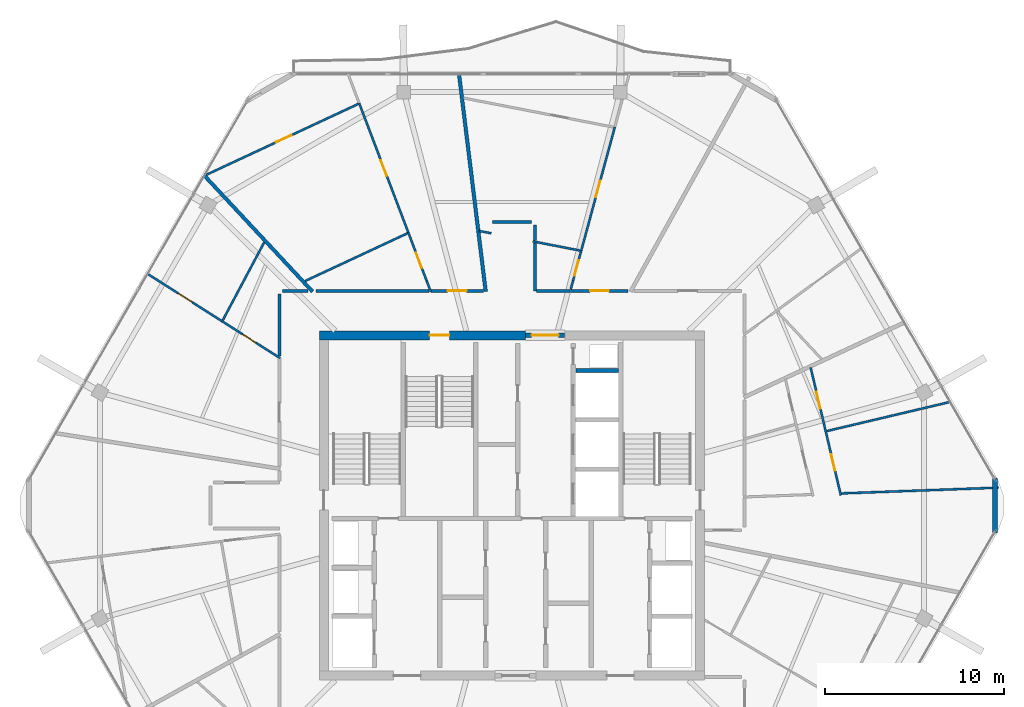
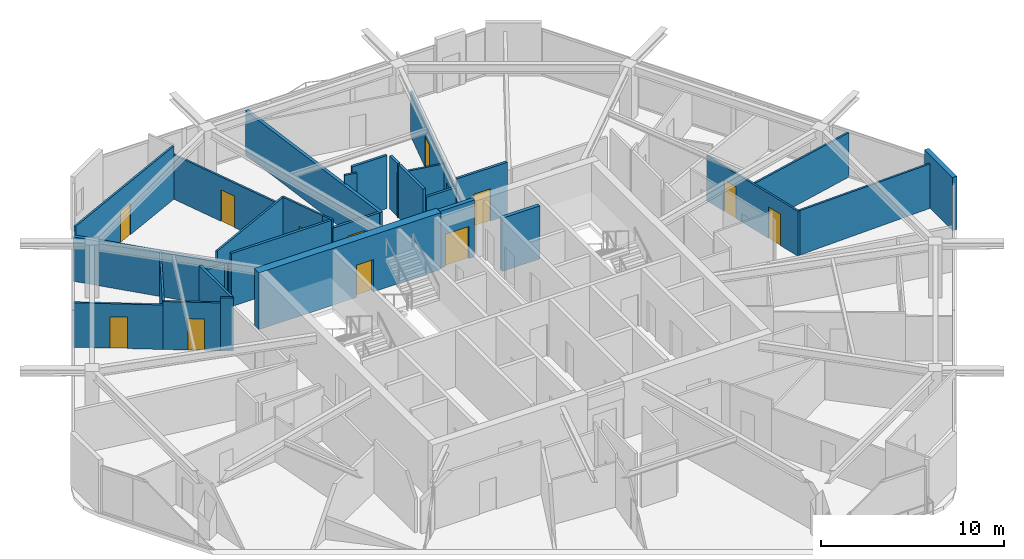
# One storey, part 18 of 21: 32 walls, 13 doors, 13 openings.
"""IFC4 building model written with IfcOpenShell, lengths in metres."""

from ifc_helpers import new_model, si_unit, direction, frame, frame_2d, origin, place, context, subcontext, project, spatial, rectangle, extrude, material, layer, layer_set, type_object, element, fill, save


model = new_model("IFC4")

# Units and contexts
model_context = context("Model", 3, precision=1e-05, world=origin(), true_north=direction((0.0, 1.0)))
body_context = subcontext(model_context, "Body", "Model", "MODEL_VIEW")
ifc_project = project(units=[si_unit("LENGTHUNIT", "METRE"), si_unit("AREAUNIT", "SQUARE_METRE"), si_unit("VOLUMEUNIT", "CUBIC_METRE"), si_unit("PLANEANGLEUNIT", "RADIAN"), si_unit("MASSUNIT", "GRAM", prefix="KILO")], contexts=[model_context])

# Site, building, storey
site_placement = place(None, origin())
site = spatial("IfcSite", under=ifc_project, at=site_placement, CompositionType="ELEMENT")
building_placement = place(site_placement, origin())
building = spatial("IfcBuilding", under=site, at=building_placement, Name="Zuhravey Tower", CompositionType="ELEMENT")
storey_placement = place(building_placement, frame((0.0, 0.0, 334.800048828125)))
storey = spatial("IfcBuildingStorey", under=building, at=storey_placement, Name="L85", CompositionType="ELEMENT", Elevation=334.800048828125)

# Wall, opening, door
ifc_material_1 = material(Name="Concrete C50/60", Category="concrete")
ifc_layer_1 = layer(ifc_material_1, 0.5)
ifc_layer_set_1 = layer_set([ifc_layer_1], Name="Concrete C50/60")
wall_type_1 = type_object("IfcWallType", Name="Core Shear Wall 500", PredefinedType="SHEAR", material=ifc_layer_set_1)
wall_1_placement = place(storey_placement, frame((36.75, 41.5, 0.0), z_axis=(0.0, 0.0, 1.0), x_axis=(-1.0, 0.0, 0.0)))
wall_1 = element("IfcWall", 1, at=wall_1_placement, inside=storey, type_object=wall_type_1, Name="L85 North-West Core Shear Wall CW50", PredefinedType="SHEAR", context=body_context, shape_type="SweptSolid", body=[
    extrude(rectangle(XDim=11.5, YDim=0.5, at=frame_2d((5.75, 0.0))), origin(), (0.0, 0.0, 1.0), 3.800048828125),
])
opening_1_placement = place(wall_1_placement, frame((4.25, 0.0, 0.0)))
opening_1 = element("IfcOpeningElement", 2, at=opening_1_placement, cuts=wall_1, Name="Opening STD1", PredefinedType="OPENING", context=body_context, shape_type="SweptSolid", body=[
    extrude(rectangle(XDim=1.10009765625, YDim=2.14990234375, at=frame_2d((0.550048828125, 1.074951171875))), frame((0.0, 0.261962890625, 0.0), z_axis=(0.0, -1.0, 0.0), x_axis=(1.0, 0.0, 0.0)), (0.0, 0.0, 1.0), 0.52392578125),
])
ifc_material_2 = material(Name="Galvanised fire-rated steel leaf", Category="steel")
door_type_1 = type_object("IfcDoorType", Name="Protected Stair Fire Door 1100x2150", OperationType="NOTDEFINED", PredefinedType="USERDEFINED", material=ifc_material_2)
door_1_placement = place(opening_1_placement, origin())
door_1 = element("IfcDoor", 3, at=door_1_placement, inside=storey, type_object=door_type_1, Name="L85 Stair ST3 Door", ObjectType="EXITDOOR", OperationType="SINGLE_SWING_RIGHT", OverallHeight=2.14990234375, OverallWidth=1.10009765625, PredefinedType="USERDEFINED", context=body_context, shape_type="SweptSolid", body=[
    extrude(rectangle(XDim=1.10009765625, YDim=2.14990234375, at=frame_2d((0.550048828125, 1.074951171875))), frame((0.0, 0.02490234375, 0.0), z_axis=(0.0, -1.0, 0.0), x_axis=(1.0, 0.0, 0.0)), (0.0, 0.0, 1.0), 0.050048828125),
])
fill(opening_1, door_1)

ifc_material_3 = material(Name="Gypsum fire-rated stud partition")
ifc_layer_2 = layer(ifc_material_3, 0.159912109375)
ifc_layer_set_2 = layer_set([ifc_layer_2], Name="Gypsum fire-rated stud partition")
wall_type_2 = type_object("IfcWallType", Name="Corridor Fire Partition 160", PredefinedType="PARTITIONING", material=ifc_layer_set_2)
wall_2_placement = place(storey_placement, frame((42.48193359375, 43.97998046875, 0.0), z_axis=(0.0, 0.0, 1.0), x_axis=(-1.0, 0.0, 0.0)))
wall_2 = element("IfcWall", 4, at=wall_2_placement, inside=storey, type_object=wall_type_2, Name="L85 IW16 Partition 054", PredefinedType="PARTITIONING", context=body_context, shape_type="SweptSolid", body=[
    extrude(rectangle(XDim=3.206298828125, YDim=0.159912109375, at=frame_2d((1.60302734375, 0.0))), origin(), (0.0, 0.0, 1.0), 3.550048828125),
])
opening_2_placement = place(wall_2_placement, frame((1.078125, 0.0, 0.0)))
opening_2 = element("IfcOpeningElement", 5, at=opening_2_placement, cuts=wall_2, Name="Opening APD1", PredefinedType="OPENING", context=body_context, shape_type="SweptSolid", body=[
    extrude(rectangle(XDim=1.050048828125, YDim=2.14990234375, at=frame_2d((0.52490234375, 1.074951171875))), frame((0.0, 0.092041015625, 0.0), z_axis=(0.0, -1.0, 0.0), x_axis=(1.0, 0.0, 0.0)), (0.0, 0.0, 1.0), 0.183837890625),
])
ifc_material_4 = material(Name="Solid-core oak fire-rated leaf")
door_type_2 = type_object("IfcDoorType", Name="Apartment Entrance Fire Door 1050x2150", OperationType="NOTDEFINED", PredefinedType="DOOR", material=ifc_material_4)
door_2_placement = place(opening_2_placement, frame((1.050048828125, 0.0, 0.0), z_axis=(0.0, 0.0, 1.0), x_axis=(-1.0, 0.0, 0.0)))
door_2 = element("IfcDoor", 6, at=door_2_placement, inside=storey, type_object=door_type_2, Name="L85 Door 054.1", OperationType="SINGLE_SWING_RIGHT", OverallHeight=2.14990234375, OverallWidth=1.050048828125, PredefinedType="DOOR", context=body_context, shape_type="SweptSolid", body=[
    extrude(rectangle(XDim=1.050048828125, YDim=2.14990234375, at=frame_2d((0.52490234375, 1.074951171875))), frame((0.0, 0.02490234375, 0.0), z_axis=(0.0, -1.0, 0.0), x_axis=(1.0, 0.0, 0.0)), (0.0, 0.0, 1.0), 0.050048828125),
])
fill(opening_2, door_2)

wall_3_placement = place(storey_placement, frame((34.402587890625, 43.97998046875, 0.0), z_axis=(0.0, 0.0, 1.0), x_axis=(-1.0, 0.0, 0.0)))
wall_3 = element("IfcWall", 7, at=wall_3_placement, inside=storey, type_object=wall_type_2, Name="L85 IW16 Partition 058", PredefinedType="PARTITIONING", context=body_context, shape_type="SweptSolid", body=[
    extrude(rectangle(XDim=2.931884765625, YDim=0.159912109375, at=frame_2d((1.4658203125, 0.0))), origin(), (0.0, 0.0, 1.0), 3.0),
])
opening_3_placement = place(wall_3_placement, frame((0.94091796875, 0.0, 0.0)))
opening_3 = element("IfcOpeningElement", 8, at=opening_3_placement, cuts=wall_3, Name="Opening APD1", PredefinedType="OPENING", context=body_context, shape_type="SweptSolid", body=[
    extrude(rectangle(XDim=1.050048828125, YDim=2.14990234375, at=frame_2d((0.52490234375, 1.074951171875))), frame((0.0, 0.092041015625, 0.0), z_axis=(0.0, -1.0, 0.0), x_axis=(1.0, 0.0, 0.0)), (0.0, 0.0, 1.0), 0.183837890625),
])
door_3_placement = place(opening_3_placement, frame((1.050048828125, 0.0, 0.0), z_axis=(0.0, 0.0, 1.0), x_axis=(-1.0, 0.0, 0.0)))
door_3 = element("IfcDoor", 9, at=door_3_placement, inside=storey, type_object=door_type_2, Name="L85 Door 058.1", OperationType="SINGLE_SWING_RIGHT", OverallHeight=2.14990234375, OverallWidth=1.050048828125, PredefinedType="DOOR", context=body_context, shape_type="SweptSolid", body=[
    extrude(rectangle(XDim=1.050048828125, YDim=2.14990234375, at=frame_2d((0.52490234375, 1.074951171875))), frame((0.0, 0.02490234375, 0.0), z_axis=(0.0, -1.0, 0.0), x_axis=(1.0, 0.0, 0.0)), (0.0, 0.0, 1.0), 0.050048828125),
])
fill(opening_3, door_3)

# Walls
wall_4_placement = place(storey_placement, frame((23.02001953125, 43.800048828125, 0.0), z_axis=(0.0, 0.0, 1.0), x_axis=(0.0, -1.0, 0.0)))
element("IfcWall", 10, at=wall_4_placement, inside=storey, type_object=wall_type_2, Name="L85 IW16 Partition 104", PredefinedType="PARTITIONING", context=body_context, shape_type="SweptSolid", body=[
    extrude(rectangle(XDim=3.46923828125, YDim=0.159912109375, at=frame_2d((1.734619140625, 0.0))), origin(), (0.0, 0.0, 1.0), 3.550048828125),
])
wall_5_placement = place(storey_placement, frame((24.603759765625, 43.97998046875, 0.0), z_axis=(0.0, 0.0, 1.0), x_axis=(-1.0, 0.0, 0.0)))
element("IfcWall", 11, at=wall_5_placement, inside=storey, type_object=wall_type_2, Name="L85 IW16 Partition 105", PredefinedType="PARTITIONING", context=body_context, shape_type="SweptSolid", body=[
    extrude(rectangle(XDim=1.40380859375, YDim=0.159912109375, at=frame_2d((0.701904296875, 0.0))), origin(), (0.0, 0.0, 1.0), 3.0),
])
wall_6_placement = place(storey_placement, frame((37.280029296875, 43.97998046875, 0.0), z_axis=(0.0, 0.0, 1.0), x_axis=(0.0, 1.0, 0.0)))
element("IfcWall", 12, at=wall_6_placement, inside=storey, type_object=wall_type_2, Name="L85 IW16 Partition 123", PredefinedType="PARTITIONING", context=body_context, shape_type="SweptSolid", body=[
    extrude(rectangle(XDim=2.668212890625, YDim=0.159912109375, at=frame_2d((1.333984375, 0.0))), origin(), (0.0, 0.0, 1.0), 3.550048828125),
])
wall_7_placement = place(storey_placement, frame((39.234130859375, 43.97998046875, 0.0), z_axis=(0.0, 0.0, 1.0), x_axis=(-1.0, 0.0, 0.0)))
element("IfcWall", 13, at=wall_7_placement, inside=storey, type_object=wall_type_2, Name="L85 IW16 Partition 124", PredefinedType="PARTITIONING", context=body_context, shape_type="SweptSolid", body=[
    extrude(rectangle(XDim=1.8662109375, YDim=0.159912109375, at=frame_2d((0.93310546875, 0.0))), origin(), (0.0, 0.0, 1.0), 3.0),
])
wall_8_placement = place(storey_placement, frame((37.10009765625, 47.830078125, 0.0), z_axis=(0.0, 0.0, 1.0), x_axis=(-1.0, 0.0, 0.0)))
element("IfcWall", 14, at=wall_8_placement, inside=storey, type_object=wall_type_2, Name="L85 IW16 Partition 125", PredefinedType="PARTITIONING", context=body_context, shape_type="SweptSolid", body=[
    extrude(rectangle(XDim=2.2001953125, YDim=0.159912109375, at=frame_2d((1.10009765625, 0.0))), origin(), (0.0, 0.0, 1.0), 3.550048828125),
])
wall_9_placement = place(storey_placement, frame((37.280029296875, 46.78662109375, 0.0), z_axis=(0.0, 0.0, 1.0), x_axis=(0.0, 1.0, 0.0)))
element("IfcWall", 15, at=wall_9_placement, inside=storey, type_object=wall_type_2, Name="L85 IW16 Partition 126", PredefinedType="PARTITIONING", context=body_context, shape_type="SweptSolid", body=[
    extrude(rectangle(XDim=0.86328125, YDim=0.159912109375, at=frame_2d((0.431640625, 0.0))), origin(), (0.0, 0.0, 1.0), 3.550048828125),
])
wall_10_placement = place(storey_placement, frame((31.37646484375, 43.97998046875, 0.0), z_axis=(0.0, 0.0, 1.0), x_axis=(-1.0, 0.0, 0.0)))
element("IfcWall", 16, at=wall_10_placement, inside=storey, type_object=wall_type_2, Name="L85 IW16 Partition 127", PredefinedType="PARTITIONING", context=body_context, shape_type="SweptSolid", body=[
    extrude(rectangle(XDim=6.326904296875, YDim=0.159912109375, at=frame_2d((3.16357421875, 0.0))), origin(), (0.0, 0.0, 1.0), 3.550048828125),
])
ifc_material_5 = material(Name="Precast concrete C40/50", Category="concrete")
ifc_layer_3 = layer(ifc_material_5, 0.280029296875)
ifc_layer_set_3 = layer_set([ifc_layer_3], Name="Precast concrete C40/50")
wall_type_3 = type_object("IfcWallType", Name="Crown Architectural Wall 280", PredefinedType="SOLIDWALL", material=ifc_layer_set_3)
wall_11_placement = place(storey_placement, frame((62.968505859375, 33.532470703125, 0.0), z_axis=(0.0, 0.0, 1.0), x_axis=(0.0, -1.0, 0.0)))
element("IfcWall", 17, at=wall_11_placement, inside=storey, type_object=wall_type_3, Name="L85 Rounded Corner Closure Wall EW28-12", PredefinedType="SOLIDWALL", context=body_context, shape_type="SweptSolid", body=[
    extrude(rectangle(XDim=3.06494140625, YDim=0.280029296875, at=frame_2d((1.532470703125, 0.0))), origin(), (0.0, 0.0, 1.0), 3.550048828125),
])

# Wall, opening, door
ifc_layer_4 = layer(ifc_material_1, 0.25)
ifc_layer_set_4 = layer_set([ifc_layer_4], Name="Concrete C50/60")
wall_type_4 = type_object("IfcWallType", Name="Firefighting Shaft & Stair Wall 250", PredefinedType="SOLIDWALL", material=ifc_layer_set_4)
wall_12_placement = place(storey_placement, frame((36.760009765625, 41.5, 0.0), z_axis=(0.0, 0.0, 1.0), x_axis=(1.0, 0.0, 0.0)))
wall_12 = element("IfcWall", 18, at=wall_12_placement, inside=storey, type_object=wall_type_4, Name="L85 FW25 Shaft Wall 002", PredefinedType="SOLIDWALL", context=body_context, shape_type="SweptSolid", body=[
    extrude(rectangle(XDim=2.179931640625, YDim=0.25, at=frame_2d((1.08984375, 0.0))), origin(), (0.0, 0.0, 1.0), 3.800048828125),
])
opening_4_placement = place(wall_12_placement, frame((0.340087890625, 0.0, 0.0)))
opening_4 = element("IfcOpeningElement", 19, at=opening_4_placement, cuts=wall_12, Name="Opening FFD1", PredefinedType="OPENING", context=body_context, shape_type="SweptSolid", body=[
    extrude(rectangle(XDim=1.5, YDim=2.14990234375, at=frame_2d((0.75, 1.074951171875))), frame((0.0, 0.136962890625, 0.0), z_axis=(0.0, -1.0, 0.0), x_axis=(1.0, 0.0, 0.0)), (0.0, 0.0, 1.0), 0.27392578125),
])
door_type_3 = type_object("IfcDoorType", Name="Firefighting Lobby Double Door 1500x2150", OperationType="DOUBLE_DOOR_SINGLE_SWING", PredefinedType="DOOR", material=ifc_material_2)
door_4_placement = place(opening_4_placement, origin())
door_4 = element("IfcDoor", 20, at=door_4_placement, inside=storey, type_object=door_type_3, Name="L85 North Lift Lobby Exit Door", OperationType="DOUBLE_DOOR_SINGLE_SWING", OverallHeight=2.14990234375, OverallWidth=1.5, PredefinedType="DOOR", context=body_context, shape_type="SweptSolid", body=[
    extrude(rectangle(XDim=1.5, YDim=2.14990234375, at=frame_2d((0.75, 1.074951171875))), frame((0.0, 0.02490234375, 0.0), z_axis=(0.0, -1.0, 0.0), x_axis=(1.0, 0.0, 0.0)), (0.0, 0.0, 1.0), 0.050048828125),
])
fill(opening_4, door_4)

# Walls
ifc_material_6 = material(Name="Gypsum double-stud party assembly")
ifc_layer_5 = layer(ifc_material_6, 0.199951171875)
ifc_layer_set_5 = layer_set([ifc_layer_5], Name="Gypsum double-stud party assembly")
wall_type_5 = type_object("IfcWallType", Name="Inter-Tenancy Party Wall 200", PredefinedType="PARTITIONING", material=ifc_layer_set_5)
wall_13_placement = place(storey_placement, frame((24.86572265625, 43.93994140625, 0.0), z_axis=(0.0, 0.0, 1.0), x_axis=(-0.68199474611, 0.731357071667, 0.0)))
element("IfcWall", 21, at=wall_13_placement, inside=storey, type_object=wall_type_5, Name="L85 IW20 Partition 063", PredefinedType="PARTITIONING", context=body_context, shape_type="SweptSolid", body=[
    extrude(rectangle(XDim=8.84814453125, YDim=0.199951171875, at=frame_2d((4.424072265625, 0.0))), origin(), (0.0, 0.0, 1.0), 2.969970703125),
])
wall_14_placement = place(storey_placement, frame((34.533935546875, 43.93994140625, 0.0), z_axis=(0.0, 0.0, 1.0), x_axis=(-0.121856786941, 0.992547693301, 0.0)))
element("IfcWall", 22, at=wall_14_placement, inside=storey, type_object=wall_type_5, Name="L85 IW20 Partition 100", PredefinedType="PARTITIONING", context=body_context, shape_type="SweptSolid", body=[
    extrude(rectangle(XDim=12.225341796875, YDim=0.199951171875, at=frame_2d((6.11279296875, 0.0))), origin(), (0.0, 0.0, 1.0), 2.969970703125),
])
ifc_material_7 = material(Name="Gypsum acoustic stud assembly")
ifc_layer_6 = layer(ifc_material_7, 0.219970703125)
ifc_layer_set_6 = layer_set([ifc_layer_6], Name="Gypsum acoustic stud assembly")
wall_type_6 = type_object("IfcWallType", Name="School Acoustic Compartment Wall 220", PredefinedType="PARTITIONING", material=ifc_layer_set_6)
wall_15_placement = place(storey_placement, frame((39.55810546875, 39.52490234375, 0.0), z_axis=(0.0, 0.0, 1.0), x_axis=(1.0, 0.0, 0.0)))
element("IfcWall", 23, at=wall_15_placement, inside=storey, type_object=wall_type_6, Name="L85 IW22 Partition 062", PredefinedType="PARTITIONING", context=body_context, shape_type="SweptSolid", body=[
    extrude(rectangle(XDim=2.3837890625, YDim=0.219970703125, at=frame_2d((1.19189453125, 0.0))), origin(), (0.0, 0.0, 1.0), 3.550048828125),
])

# Wall, opening, door
ifc_material_8 = material(Name="Gypsum metal-stud partition")
ifc_layer_7 = layer(ifc_material_8, 0.1201171875)
ifc_layer_set_7 = layer_set([ifc_layer_7], Name="Gypsum metal-stud partition")
wall_type_7 = type_object("IfcWallType", Name="Unit Internal Partition 120", PredefinedType="PARTITIONING", material=ifc_layer_set_7)
wall_16_placement = place(storey_placement, frame((22.449951171875, 40.6123046875, 0.0), z_axis=(0.0, 0.0, 1.0), x_axis=(-0.843946894376, 0.536426732624, 0.0)))
wall_16 = element("IfcWall", 24, at=wall_16_placement, inside=storey, type_object=wall_type_7, Name="L85 IW12 Partition 021", PredefinedType="PARTITIONING", context=body_context, shape_type="SweptSolid", body=[
    extrude(rectangle(XDim=3.133544921875, YDim=0.1201171875, at=frame_2d((1.56689453125, 0.0))), origin(), (0.0, 0.0, 1.0), 3.199951171875),
])
opening_5_placement = place(wall_16_placement, frame((0.865966796875, 0.0, 0.0)))
opening_5 = element("IfcOpeningElement", 25, at=opening_5_placement, cuts=wall_16, Name="Opening WCD1", PredefinedType="OPENING", context=body_context, shape_type="SweptSolid", body=[
    extrude(rectangle(XDim=0.89990234375, YDim=2.10009765625, at=frame_2d((0.449951171875, 1.050048828125))), frame((0.0, 0.072021484375, 0.0), z_axis=(0.0, -1.0, 0.0), x_axis=(1.0, 0.0, 0.0)), (0.0, 0.0, 1.0), 0.14404296875),
])
ifc_material_9 = material(Name="Moisture-resistant timber leaf", Category="wood")
door_type_4 = type_object("IfcDoorType", Name="Bathroom & WC Internal Door 900x2100", OperationType="NOTDEFINED", PredefinedType="DOOR", material=ifc_material_9)
door_5_placement = place(opening_5_placement, frame((0.89990234375, 0.0, 0.0), z_axis=(0.0, 0.0, 1.0), x_axis=(-1.0, 0.0, 0.0)))
door_5 = element("IfcDoor", 26, at=door_5_placement, inside=storey, type_object=door_type_4, Name="Apartment L85-01 Bathroom Door", OperationType="SINGLE_SWING_RIGHT", OverallHeight=2.10009765625, OverallWidth=0.89990234375, PredefinedType="DOOR", context=body_context, shape_type="SweptSolid", body=[
    extrude(rectangle(XDim=0.89990234375, YDim=2.10009765625, at=frame_2d((0.449951171875, 1.050048828125))), frame((0.0, 0.02490234375, 0.0), z_axis=(0.0, -1.0, 0.0), x_axis=(1.0, 0.0, 0.0)), (0.0, 0.0, 1.0), 0.050048828125),
])
fill(opening_5, door_5)

wall_17_placement = place(storey_placement, frame((19.805419921875, 42.293212890625, 0.0), z_axis=(0.0, 0.0, 1.0), x_axis=(-0.843964252014, 0.536399423306, 0.0)))
wall_17 = element("IfcWall", 27, at=wall_17_placement, inside=storey, type_object=wall_type_7, Name="L85 IW12 Partition 022", PredefinedType="PARTITIONING", context=body_context, shape_type="SweptSolid", body=[
    extrude(rectangle(XDim=4.911865234375, YDim=0.1201171875, at=frame_2d((2.4560546875, 0.0))), origin(), (0.0, 0.0, 1.0), 2.969970703125),
])
opening_6_placement = place(wall_17_placement, frame((1.9560546875, 0.0, 0.0)))
opening_6 = element("IfcOpeningElement", 28, at=opening_6_placement, cuts=wall_17, Name="Opening IND1", PredefinedType="OPENING", context=body_context, shape_type="SweptSolid", body=[
    extrude(rectangle(XDim=0.949951171875, YDim=2.10009765625, at=frame_2d((0.47509765625, 1.050048828125))), frame((0.0, 0.072021484375, 0.0), z_axis=(0.0, -1.0, 0.0), x_axis=(1.0, 0.0, 0.0)), (0.0, 0.0, 1.0), 0.14404296875),
])
ifc_material_10 = material(Name="Painted engineered timber leaf", Category="wood")
door_type_5 = type_object("IfcDoorType", Name="Internal Room & Bedroom Door 950x2100", OperationType="NOTDEFINED", PredefinedType="DOOR", material=ifc_material_10)
door_6_placement = place(opening_6_placement, frame((0.949951171875, 0.0, 0.0), z_axis=(0.0, 0.0, 1.0), x_axis=(-1.0, 0.0, 0.0)))
door_6 = element("IfcDoor", 29, at=door_6_placement, inside=storey, type_object=door_type_5, Name="Apartment L85-01 Bedroom 1 Door", OperationType="SINGLE_SWING_LEFT", OverallHeight=2.10009765625, OverallWidth=0.949951171875, PredefinedType="DOOR", context=body_context, shape_type="SweptSolid", body=[
    extrude(rectangle(XDim=0.949951171875, YDim=2.10009765625, at=frame_2d((0.47509765625, 1.050048828125))), frame((0.0, 0.02490234375, 0.0), z_axis=(0.0, -1.0, 0.0), x_axis=(1.0, 0.0, 0.0)), (0.0, 0.0, 1.0), 0.050048828125),
])
fill(opening_6, door_6)

# Wall, openings, doors
wall_18_placement = place(storey_placement, frame((54.352294921875, 32.572998046875, 0.0), z_axis=(0.0, 0.0, 1.0), x_axis=(-0.230060446121, 0.97317634123, 0.0)))
wall_18 = element("IfcWall", 30, at=wall_18_placement, inside=storey, type_object=wall_type_7, Name="L85 IW12 Partition 046", PredefinedType="PARTITIONING", context=body_context, shape_type="SweptSolid", body=[
    extrude(rectangle(XDim=7.32861328125, YDim=0.1201171875, at=frame_2d((3.664306640625, 0.0))), origin(), (0.0, 0.0, 1.0), 3.0),
])
opening_7_placement = place(wall_18_placement, frame((1.4072265625, 0.0, 0.0)))
opening_7 = element("IfcOpeningElement", 31, at=opening_7_placement, cuts=wall_18, Name="Opening IND1", PredefinedType="OPENING", context=body_context, shape_type="SweptSolid", body=[
    extrude(rectangle(XDim=0.949951171875, YDim=2.10009765625, at=frame_2d((0.47509765625, 1.050048828125))), frame((0.0, 0.072021484375, 0.0), z_axis=(0.0, -1.0, 0.0), x_axis=(1.0, 0.0, 0.0)), (0.0, 0.0, 1.0), 0.14404296875),
])
opening_8_placement = place(wall_18_placement, frame((4.9716796875, 0.0, 0.0)))
opening_8 = element("IfcOpeningElement", 32, at=opening_8_placement, cuts=wall_18, Name="Opening IND1", PredefinedType="OPENING", context=body_context, shape_type="SweptSolid", body=[
    extrude(rectangle(XDim=0.949951171875, YDim=2.10009765625, at=frame_2d((0.47509765625, 1.050048828125))), frame((0.0, 0.072021484375, 0.0), z_axis=(0.0, -1.0, 0.0), x_axis=(1.0, 0.0, 0.0)), (0.0, 0.0, 1.0), 0.14404296875),
])
door_7_placement = place(opening_7_placement, frame((0.949951171875, 0.0, 0.0), z_axis=(0.0, 0.0, 1.0), x_axis=(-1.0, 0.0, 0.0)))
door_7 = element("IfcDoor", 33, at=door_7_placement, inside=storey, type_object=door_type_5, Name="Apartment L85-07 Bedroom 1 Door", OperationType="SINGLE_SWING_LEFT", OverallHeight=2.10009765625, OverallWidth=0.949951171875, PredefinedType="DOOR", context=body_context, shape_type="SweptSolid", body=[
    extrude(rectangle(XDim=0.949951171875, YDim=2.10009765625, at=frame_2d((0.47509765625, 1.050048828125))), frame((0.0, 0.02490234375, 0.0), z_axis=(0.0, -1.0, 0.0), x_axis=(1.0, 0.0, 0.0)), (0.0, 0.0, 1.0), 0.050048828125),
])
fill(opening_7, door_7)
door_8_placement = place(opening_8_placement, frame((0.949951171875, 0.0, 0.0), z_axis=(0.0, 0.0, 1.0), x_axis=(-1.0, 0.0, 0.0)))
door_8 = element("IfcDoor", 34, at=door_8_placement, inside=storey, type_object=door_type_5, Name="Apartment L85-07 Bedroom 2 Door", OperationType="SINGLE_SWING_RIGHT", OverallHeight=2.10009765625, OverallWidth=0.949951171875, PredefinedType="DOOR", context=body_context, shape_type="SweptSolid", body=[
    extrude(rectangle(XDim=0.949951171875, YDim=2.10009765625, at=frame_2d((0.47509765625, 1.050048828125))), frame((0.0, 0.02490234375, 0.0), z_axis=(0.0, -1.0, 0.0), x_axis=(1.0, 0.0, 0.0)), (0.0, 0.0, 1.0), 0.050048828125),
])
fill(opening_8, door_8)

# Wall, opening, door
wall_19_placement = place(storey_placement, frame((39.409912109375, 44.550048828125, 0.0), z_axis=(0.0, 0.0, 1.0), x_axis=(0.262173284377, 0.965020812708, 0.0)))
wall_19 = element("IfcWall", 35, at=wall_19_placement, inside=storey, type_object=wall_type_7, Name="L85 IW12 Partition 051", PredefinedType="PARTITIONING", context=body_context, shape_type="SweptSolid", body=[
    extrude(rectangle(XDim=1.750732421875, YDim=0.1201171875, at=frame_2d((0.87548828125, 0.0))), origin(), (0.0, 0.0, 1.0), 3.0),
])
opening_9_placement = place(wall_19_placement, frame((0.285400390625, 0.0, 0.0)))
opening_9 = element("IfcOpeningElement", 36, at=opening_9_placement, cuts=wall_19, Name="Opening WCD1", PredefinedType="OPENING", context=body_context, shape_type="SweptSolid", body=[
    extrude(rectangle(XDim=0.89990234375, YDim=2.10009765625, at=frame_2d((0.449951171875, 1.050048828125))), frame((0.0, 0.072021484375, 0.0), z_axis=(0.0, -1.0, 0.0), x_axis=(1.0, 0.0, 0.0)), (0.0, 0.0, 1.0), 0.14404296875),
])
door_9_placement = place(opening_9_placement, origin())
door_9 = element("IfcDoor", 37, at=door_9_placement, inside=storey, type_object=door_type_4, Name="Apartment L85-09 Bathroom Door", OperationType="SINGLE_SWING_LEFT", OverallHeight=2.10009765625, OverallWidth=0.89990234375, PredefinedType="DOOR", context=body_context, shape_type="SweptSolid", body=[
    extrude(rectangle(XDim=0.89990234375, YDim=2.10009765625, at=frame_2d((0.449951171875, 1.050048828125))), frame((0.0, 0.02490234375, 0.0), z_axis=(0.0, -1.0, 0.0), x_axis=(1.0, 0.0, 0.0)), (0.0, 0.0, 1.0), 0.050048828125),
])
fill(opening_9, door_9)

wall_20_placement = place(storey_placement, frame((39.868896484375, 46.239501953125, 0.0), z_axis=(0.0, 0.0, 1.0), x_axis=(0.262173652668, 0.965020712652, 0.0)))
wall_20 = element("IfcWall", 38, at=wall_20_placement, inside=storey, type_object=wall_type_7, Name="L85 IW12 Partition 052", PredefinedType="PARTITIONING", context=body_context, shape_type="SweptSolid", body=[
    extrude(rectangle(XDim=7.136962890625, YDim=0.1201171875, at=frame_2d((3.568359375, 0.0))), origin(), (0.0, 0.0, 1.0), 3.0),
])
opening_10_placement = place(wall_20_placement, frame((3.068359375, 0.0, 0.0)))
opening_10 = element("IfcOpeningElement", 39, at=opening_10_placement, cuts=wall_20, Name="Opening IND1", PredefinedType="OPENING", context=body_context, shape_type="SweptSolid", body=[
    extrude(rectangle(XDim=0.949951171875, YDim=2.10009765625, at=frame_2d((0.47509765625, 1.050048828125))), frame((0.0, 0.072021484375, 0.0), z_axis=(0.0, -1.0, 0.0), x_axis=(1.0, 0.0, 0.0)), (0.0, 0.0, 1.0), 0.14404296875),
])
door_10_placement = place(opening_10_placement, origin())
door_10 = element("IfcDoor", 40, at=door_10_placement, inside=storey, type_object=door_type_5, Name="Apartment L85-09 Home Office Door", OperationType="SINGLE_SWING_RIGHT", OverallHeight=2.10009765625, OverallWidth=0.949951171875, PredefinedType="DOOR", context=body_context, shape_type="SweptSolid", body=[
    extrude(rectangle(XDim=0.949951171875, YDim=2.10009765625, at=frame_2d((0.47509765625, 1.050048828125))), frame((0.0, 0.02490234375, 0.0), z_axis=(0.0, -1.0, 0.0), x_axis=(1.0, 0.0, 0.0)), (0.0, 0.0, 1.0), 0.050048828125),
])
fill(opening_10, door_10)

wall_21_placement = place(storey_placement, frame((31.232666015625, 44.550048828125, 0.0), z_axis=(0.0, 0.0, 1.0), x_axis=(-0.355127317652, 0.934817943911, 0.0)))
wall_21 = element("IfcWall", 41, at=wall_21_placement, inside=storey, type_object=wall_type_7, Name="L85 IW12 Partition 055", PredefinedType="PARTITIONING", context=body_context, shape_type="SweptSolid", body=[
    extrude(rectangle(XDim=2.877685546875, YDim=0.1201171875, at=frame_2d((1.43896484375, 0.0))), origin(), (0.0, 0.0, 1.0), 3.550048828125),
])
opening_11_placement = place(wall_21_placement, frame((0.7587890625, 0.0, 0.0)))
opening_11 = element("IfcOpeningElement", 42, at=opening_11_placement, cuts=wall_21, Name="Opening WCD1", PredefinedType="OPENING", context=body_context, shape_type="SweptSolid", body=[
    extrude(rectangle(XDim=0.89990234375, YDim=2.10009765625, at=frame_2d((0.449951171875, 1.050048828125))), frame((0.0, 0.072021484375, 0.0), z_axis=(0.0, -1.0, 0.0), x_axis=(1.0, 0.0, 0.0)), (0.0, 0.0, 1.0), 0.14404296875),
])
door_11_placement = place(opening_11_placement, origin())
door_11 = element("IfcDoor", 43, at=door_11_placement, inside=storey, type_object=door_type_4, Name="Apartment L85-10 Bathroom Door", OperationType="SINGLE_SWING_LEFT", OverallHeight=2.10009765625, OverallWidth=0.89990234375, PredefinedType="DOOR", context=body_context, shape_type="SweptSolid", body=[
    extrude(rectangle(XDim=0.89990234375, YDim=2.10009765625, at=frame_2d((0.449951171875, 1.050048828125))), frame((0.0, 0.02490234375, 0.0), z_axis=(0.0, -1.0, 0.0), x_axis=(1.0, 0.0, 0.0)), (0.0, 0.0, 1.0), 0.050048828125),
])
fill(opening_11, door_11)

wall_22_placement = place(storey_placement, frame((30.210693359375, 47.240234375, 0.0), z_axis=(0.0, 0.0, 1.0), x_axis=(-0.355107814632, 0.934825352666, 0.0)))
wall_22 = element("IfcWall", 44, at=wall_22_placement, inside=storey, type_object=wall_type_7, Name="L85 IW12 Partition 056", PredefinedType="PARTITIONING", context=body_context, shape_type="SweptSolid", body=[
    extrude(rectangle(XDim=7.722900390625, YDim=0.1201171875, at=frame_2d((3.861328125, 0.0))), origin(), (0.0, 0.0, 1.0), 2.969970703125),
])
opening_12_placement = place(wall_22_placement, frame((3.361328125, 0.0, 0.0)))
opening_12 = element("IfcOpeningElement", 45, at=opening_12_placement, cuts=wall_22, Name="Opening IND1", PredefinedType="OPENING", context=body_context, shape_type="SweptSolid", body=[
    extrude(rectangle(XDim=0.949951171875, YDim=2.10009765625, at=frame_2d((0.47509765625, 1.050048828125))), frame((0.0, 0.072021484375, 0.0), z_axis=(0.0, -1.0, 0.0), x_axis=(1.0, 0.0, 0.0)), (0.0, 0.0, 1.0), 0.14404296875),
])
door_12_placement = place(opening_12_placement, origin())
door_12 = element("IfcDoor", 46, at=door_12_placement, inside=storey, type_object=door_type_5, Name="Apartment L85-10 Home Office Door", OperationType="SINGLE_SWING_RIGHT", OverallHeight=2.10009765625, OverallWidth=0.949951171875, PredefinedType="DOOR", context=body_context, shape_type="SweptSolid", body=[
    extrude(rectangle(XDim=0.949951171875, YDim=2.10009765625, at=frame_2d((0.47509765625, 1.050048828125))), frame((0.0, 0.02490234375, 0.0), z_axis=(0.0, -1.0, 0.0), x_axis=(1.0, 0.0, 0.0)), (0.0, 0.0, 1.0), 0.050048828125),
])
fill(opening_12, door_12)

wall_23_placement = place(storey_placement, frame((27.415283203125, 54.40771484375, 0.0), z_axis=(0.0, 0.0, 1.0), x_axis=(-0.906299284586, -0.422636494825, 0.0)))
wall_23 = element("IfcWall", 47, at=wall_23_placement, inside=storey, type_object=wall_type_7, Name="L85 IW12 Partition 057", PredefinedType="PARTITIONING", context=body_context, shape_type="SweptSolid", body=[
    extrude(rectangle(XDim=9.34130859375, YDim=0.1201171875, at=frame_2d((4.670654296875, 0.0))), origin(), (0.0, 0.0, 1.0), 3.550048828125),
])
opening_13_placement = place(wall_23_placement, frame((4.111572265625, 0.0, 0.0)))
opening_13 = element("IfcOpeningElement", 48, at=opening_13_placement, cuts=wall_23, Name="Opening IND1", PredefinedType="OPENING", context=body_context, shape_type="SweptSolid", body=[
    extrude(rectangle(XDim=0.949951171875, YDim=2.10009765625, at=frame_2d((0.47509765625, 1.050048828125))), frame((0.0, 0.072021484375, 0.0), z_axis=(0.0, -1.0, 0.0), x_axis=(1.0, 0.0, 0.0)), (0.0, 0.0, 1.0), 0.14404296875),
])
door_13_placement = place(opening_13_placement, frame((0.949951171875, 0.0, 0.0), z_axis=(0.0, 0.0, 1.0), x_axis=(-1.0, 0.0, 0.0)))
door_13 = element("IfcDoor", 49, at=door_13_placement, inside=storey, type_object=door_type_5, Name="Apartment L85-10 Bedroom 1 Door", OperationType="SINGLE_SWING_LEFT", OverallHeight=2.10009765625, OverallWidth=0.949951171875, PredefinedType="DOOR", context=body_context, shape_type="SweptSolid", body=[
    extrude(rectangle(XDim=0.949951171875, YDim=2.10009765625, at=frame_2d((0.47509765625, 1.050048828125))), frame((0.0, 0.02490234375, 0.0), z_axis=(0.0, -1.0, 0.0), x_axis=(1.0, 0.0, 0.0)), (0.0, 0.0, 1.0), 0.050048828125),
])
fill(opening_13, door_13)

# Walls
wall_24_placement = place(storey_placement, frame((23.057373046875, 40.226318359375, 0.0), z_axis=(0.0, 0.0, 1.0), x_axis=(-0.844010519213, 0.536326620127, 0.0)))
element("IfcWall", 50, at=wall_24_placement, inside=storey, type_object=wall_type_7, Name="L85 IW12 Partition 064", PredefinedType="PARTITIONING", context=body_context, shape_type="SweptSolid", body=[
    extrude(rectangle(XDim=0.7197265625, YDim=0.1201171875, at=frame_2d((0.35986328125, 0.0))), origin(), (0.0, 0.0, 1.0), 3.550048828125),
])
wall_25_placement = place(storey_placement, frame((22.165283203125, 46.677734375, 0.0), z_axis=(0.0, 0.0, 1.0), x_axis=(-0.469514895951, -0.882924550842, 0.0)))
element("IfcWall", 51, at=wall_25_placement, inside=storey, type_object=wall_type_7, Name="L85 IW12 Partition 065", PredefinedType="PARTITIONING", context=body_context, shape_type="SweptSolid", body=[
    extrude(rectangle(XDim=4.912841796875, YDim=0.1201171875, at=frame_2d((2.45654296875, 0.0))), origin(), (0.0, 0.0, 1.0), 3.0),
])
wall_26_placement = place(storey_placement, frame((53.575439453125, 36.154541015625, 0.0), z_axis=(0.0, 0.0, 1.0), x_axis=(0.973178020357, 0.23005334315, 0.0)))
element("IfcWall", 52, at=wall_26_placement, inside=storey, type_object=wall_type_7, Name="L85 IW12 Partition 088", PredefinedType="PARTITIONING", context=body_context, shape_type="SweptSolid", body=[
    extrude(rectangle(XDim=7.084716796875, YDim=0.1201171875, at=frame_2d((3.54248046875, 0.0))), origin(), (0.0, 0.0, 1.0), 2.969970703125),
])
wall_27_placement = place(storey_placement, frame((54.39794921875, 32.6748046875, 0.0), z_axis=(0.0, 0.0, 1.0), x_axis=(0.999328863412, 0.036630898874, 0.0)))
element("IfcWall", 53, at=wall_27_placement, inside=storey, type_object=wall_type_7, Name="L85 IW12 Partition 090", PredefinedType="PARTITIONING", context=body_context, shape_type="SweptSolid", body=[
    extrude(rectangle(XDim=8.7509765625, YDim=0.1201171875, at=frame_2d((4.37548828125, 0.0))), origin(), (0.0, 0.0, 1.0), 2.969970703125),
])
wall_28_placement = place(storey_placement, frame((39.27880859375, 44.068115234375, 0.0), z_axis=(0.0, 0.0, 1.0), x_axis=(0.262496924618, 0.964932829044, 0.0)))
element("IfcWall", 54, at=wall_28_placement, inside=storey, type_object=wall_type_7, Name="L85 IW12 Partition 095", PredefinedType="PARTITIONING", context=body_context, shape_type="SweptSolid", body=[
    extrude(rectangle(XDim=0.49951171875, YDim=0.1201171875, at=frame_2d((0.249755859375, 0.0))), origin(), (0.0, 0.0, 1.0), 3.0),
])
wall_29_placement = place(storey_placement, frame((39.79541015625, 46.228515625, 0.0), z_axis=(0.0, 0.0, 1.0), x_axis=(-0.981632896255, 0.190779603181, 0.0)))
element("IfcWall", 55, at=wall_29_placement, inside=storey, type_object=wall_type_7, Name="L85 IW12 Partition 098", PredefinedType="PARTITIONING", context=body_context, shape_type="SweptSolid", body=[
    extrude(rectangle(XDim=2.684814453125, YDim=0.1201171875, at=frame_2d((1.34228515625, 0.0))), origin(), (0.0, 0.0, 1.0), 3.0),
])
wall_30_placement = place(storey_placement, frame((34.840087890625, 47.191650390625, 0.0), z_axis=(0.0, 0.0, 1.0), x_axis=(-0.981613573496, 0.190878999183, 0.0)))
element("IfcWall", 56, at=wall_30_placement, inside=storey, type_object=wall_type_7, Name="L85 IW12 Partition 099", PredefinedType="PARTITIONING", context=body_context, shape_type="SweptSolid", body=[
    extrude(rectangle(XDim=0.69970703125, YDim=0.1201171875, at=frame_2d((0.349853515625, 0.0))), origin(), (0.0, 0.0, 1.0), 3.550048828125),
])
wall_31_placement = place(storey_placement, frame((31.4658203125, 43.9365234375, 0.0), z_axis=(0.0, 0.0, 1.0), x_axis=(-0.355237262968, 0.934776169465, 0.0)))
element("IfcWall", 57, at=wall_31_placement, inside=storey, type_object=wall_type_7, Name="L85 IW12 Partition 101", PredefinedType="PARTITIONING", context=body_context, shape_type="SweptSolid", body=[
    extrude(rectangle(XDim=0.65625, YDim=0.1201171875, at=frame_2d((0.328125, 0.0))), origin(), (0.0, 0.0, 1.0), 3.550048828125),
])
wall_32_placement = place(storey_placement, frame((30.157958984375, 47.18798828125, 0.0), z_axis=(0.0, 0.0, 1.0), x_axis=(-0.906327969047, -0.422574978582, 0.0)))
element("IfcWall", 58, at=wall_32_placement, inside=storey, type_object=wall_type_7, Name="L85 IW12 Partition 103", PredefinedType="PARTITIONING", context=body_context, shape_type="SweptSolid", body=[
    extrude(rectangle(XDim=6.285400390625, YDim=0.1201171875, at=frame_2d((3.142578125, 0.0))), origin(), (0.0, 0.0, 1.0), 3.550048828125),
])

save(model, "model.ifc")
